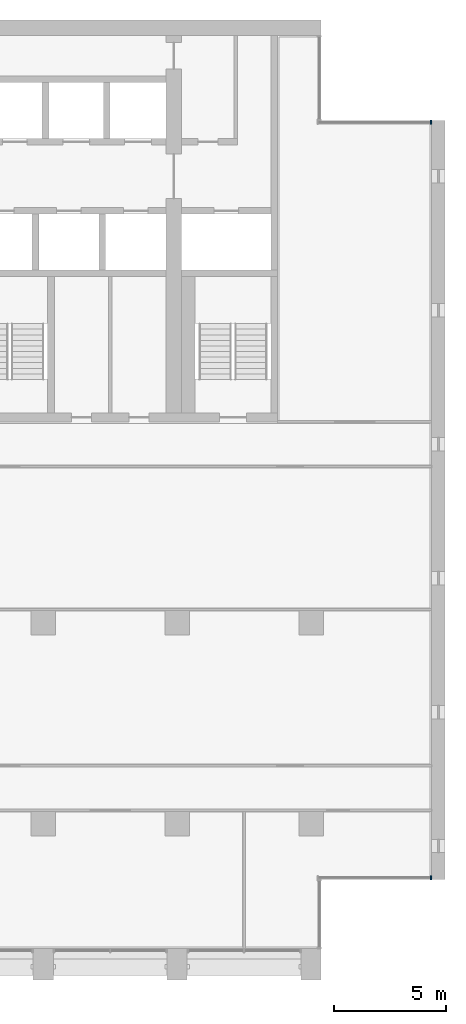
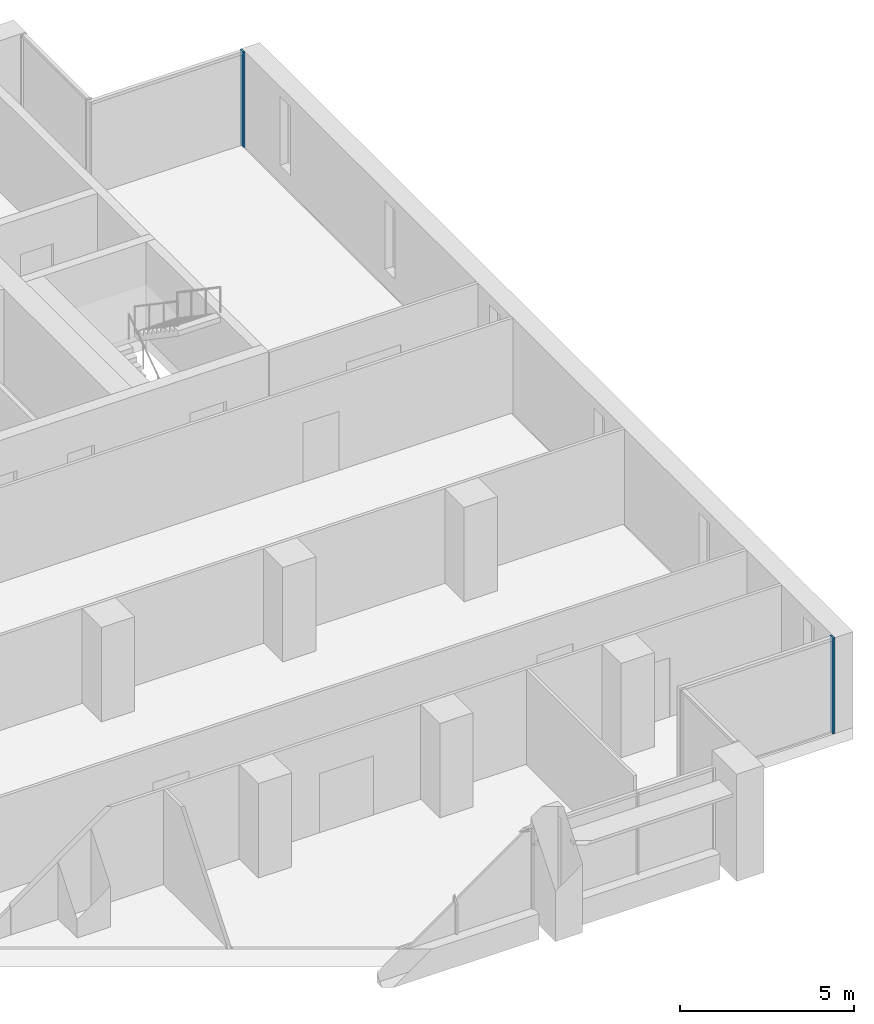
# One storey, part 6 of 17: 2 members, 2 elements without a shape of their own.
"""IFC4 building model written with IfcOpenShell, lengths in metres."""

from ifc_helpers import new_model, si_unit, direction, frame, origin, origin_2d, place, context, subcontext, project, spatial, rectangle, extrude, material, material_profile, profile_set, type_object, element, aggregate, save


model = new_model("IFC4")

# Units and contexts
model_context = context("Model", 3, precision=1e-05, world=origin(), true_north=direction((0.0, 1.0)))
body_context = subcontext(model_context, "Body", "Model", "MODEL_VIEW")
ifc_project = project(units=[si_unit("LENGTHUNIT", "METRE"), si_unit("AREAUNIT", "SQUARE_METRE"), si_unit("VOLUMEUNIT", "CUBIC_METRE"), si_unit("PLANEANGLEUNIT", "RADIAN"), si_unit("MASSUNIT", "GRAM", prefix="KILO")], contexts=[model_context])

# Site, building, storey
site_placement = place(None, origin())
site = spatial("IfcSite", under=ifc_project, at=site_placement, CompositionType="ELEMENT")
building_placement = place(site_placement, origin())
building = spatial("IfcBuilding", under=site, at=building_placement, Name="Calvaro Tower", CompositionType="ELEMENT")
storey_placement = place(building_placement, frame((0.0, 0.0, 196.75)))
storey = spatial("IfcBuildingStorey", under=building, at=storey_placement, Name="L49", CompositionType="ELEMENT", Elevation=196.75)

# Curtain wall, member
ifc_material_1 = material(Name="Anodised aluminium", Category="aluminium")
curtain_wall_type = type_object("IfcCurtainWallType", Name="Office curtain wall, upper zone", PredefinedType="NOTDEFINED", material=ifc_material_1)
curtain_wall_1_placement = place(storey_placement, origin())
curtain_wall_1 = element("IfcCurtainWall", 1, at=curtain_wall_1_placement, inside=storey, type_object=curtain_wall_type, Name="CW3 corner curtain wall", PredefinedType="NOTDEFINED")
ifc_material_2 = material(Name="Anodised aluminium", Category="aluminium")
ifc_material_profile = material_profile(ifc_material_2, rectangle(XDim=0.179931640625, YDim=0.06005859375, at=origin_2d()), Name="Mullion S3 60 x 180")
ifc_profile_set = profile_set([ifc_material_profile], Name="Anodised aluminium")
member_type = type_object("IfcMemberType", Name="Mullion S3 60 x 180", PredefinedType="MULLION", material=ifc_profile_set)
member_1_placement = place(storey_placement, frame((71.3701171875, 7.590087890625, 0.0), z_axis=(0.0, 0.0, 1.0), x_axis=(0.0, 1.0, 0.0)))
member_1 = element("IfcMember", 2, at=member_1_placement, type_object=member_type, Name="CW3 mullion 2", PredefinedType="MULLION", context=body_context, shape_type="SweptSolid", body=[
    extrude(rectangle(XDim=0.179931640625, YDim=0.06005859375, at=origin_2d()), origin(), (0.0, 0.0, 1.0), 3.35009765625),
])
aggregate(curtain_wall_1, [member_1])

curtain_wall_2_placement = place(storey_placement, origin())
curtain_wall_2 = element("IfcCurtainWall", 3, at=curtain_wall_2_placement, inside=storey, type_object=curtain_wall_type, Name="CW3 corner curtain wall", PredefinedType="NOTDEFINED")
member_2_placement = place(storey_placement, frame((71.3701171875, 41.409912109375, 0.0), z_axis=(0.0, 0.0, 1.0), x_axis=(0.0, 1.0, 0.0)))
member_2 = element("IfcMember", 4, at=member_2_placement, type_object=member_type, Name="CW3 mullion 2", PredefinedType="MULLION", context=body_context, shape_type="SweptSolid", body=[
    extrude(rectangle(XDim=0.179931640625, YDim=0.06005859375, at=origin_2d()), origin(), (0.0, 0.0, 1.0), 3.35009765625),
])
aggregate(curtain_wall_2, [member_2])

save(model, "model.ifc")
